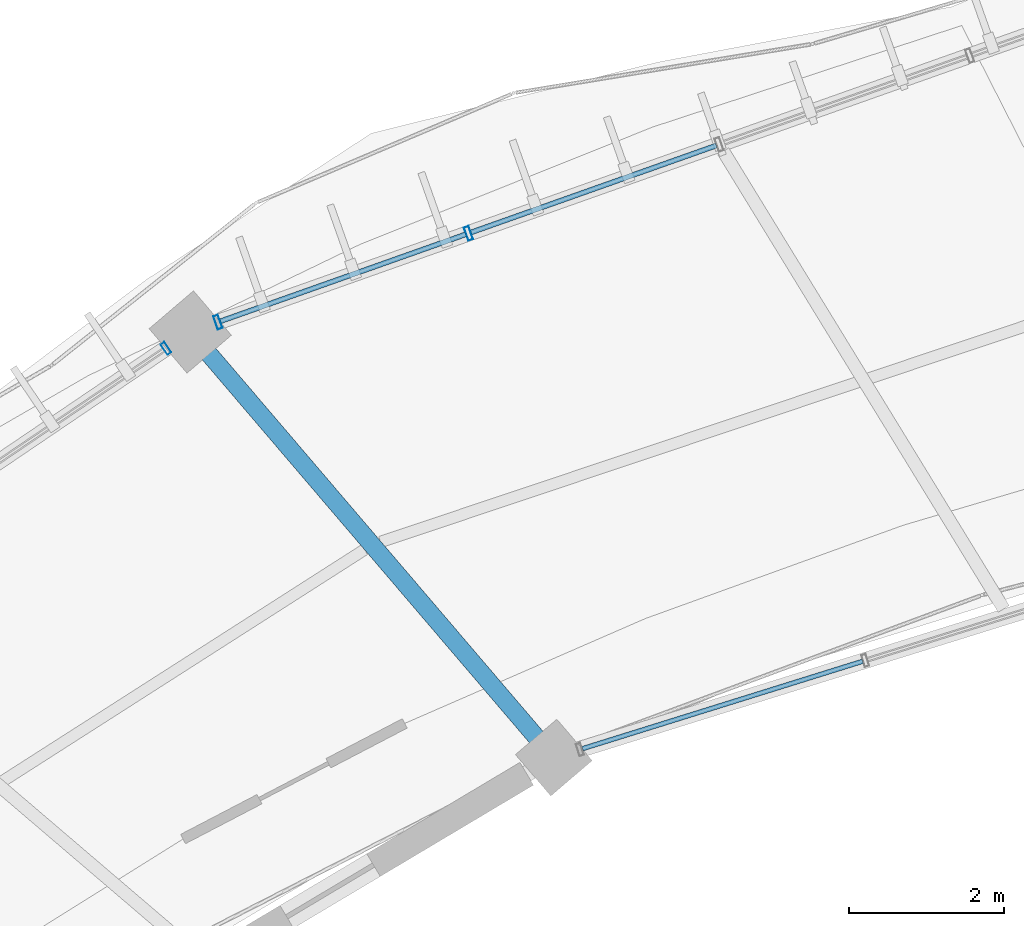
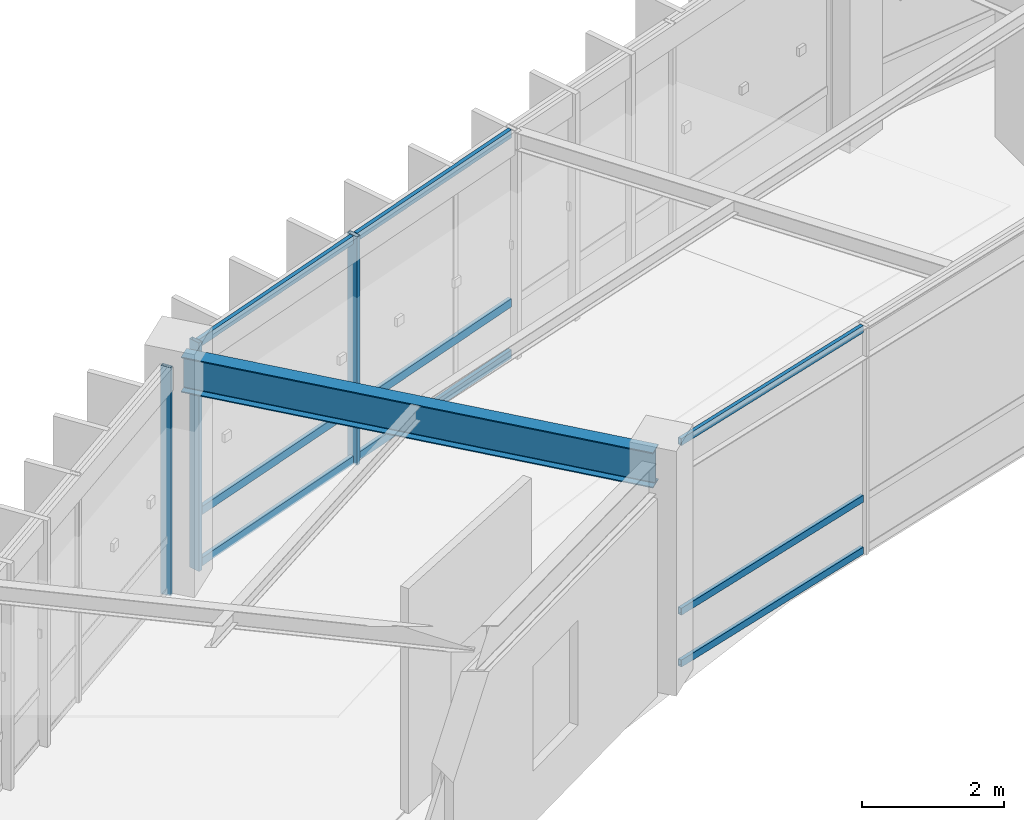
# One storey, part 59 of 152: 12 members, 1 beam, 3 elements without a shape of their own.
"""IFC4 building model written with IfcOpenShell, lengths in metres."""

from ifc_helpers import new_model, si_unit, direction, frame, origin, origin_2d, place, context, subcontext, project, spatial, hollow_rectangle, i_section, extrude, material, material_profile, profile_set, type_object, element, aggregate, save


model = new_model("IFC4")

# Units and contexts
model_context = context("Model", 3, precision=1e-05, world=origin(), true_north=direction((0.0, 1.0)))
body_context = subcontext(model_context, "Body", "Model", "MODEL_VIEW")
ifc_project = project(units=[si_unit("LENGTHUNIT", "METRE"), si_unit("AREAUNIT", "SQUARE_METRE"), si_unit("VOLUMEUNIT", "CUBIC_METRE"), si_unit("PLANEANGLEUNIT", "RADIAN"), si_unit("MASSUNIT", "GRAM", prefix="KILO"), si_unit("THERMODYNAMICTEMPERATUREUNIT", "KELVIN"), si_unit("POWERUNIT", "WATT")], contexts=[model_context])

# Site, building, storey
site_placement = place(None, origin())
site = spatial("IfcSite", under=ifc_project, at=site_placement, CompositionType="ELEMENT")
building_placement = place(site_placement, origin())
building = spatial("IfcBuilding", under=site, at=building_placement, Name="Darbajah Civic Hall", CompositionType="ELEMENT")
storey_placement = place(building_placement, frame((0.0, 0.0, 5.39990234375)))
storey = spatial("IfcBuildingStorey", under=building, at=storey_placement, Name="L01", CompositionType="ELEMENT", Elevation=5.39990234375)

# Curtain wall, member
ifc_material_1 = material(Name="Anodised Bronze Aluminium and Low-E Glazing", Category="aluminium")
curtain_wall_type_1 = type_object("IfcCurtainWallType", Name="Unitised Curtain Wall CW-26 11800x3900", PredefinedType="USERDEFINED", material=ifc_material_1)
curtain_wall_1_placement = place(storey_placement, origin())
curtain_wall_1 = element("IfcCurtainWall", 1, at=curtain_wall_1_placement, inside=storey, type_object=curtain_wall_type_1, Name="L01 unitised curtain wall CW-V1O-L01-07", ObjectType="UNITISED CURTAIN WALL", PredefinedType="USERDEFINED")
ifc_material_2 = material(Name="Anodised Bronze Aluminium", Category="aluminium")
ifc_material_profile_1 = material_profile(ifc_material_2, hollow_rectangle(XDim=0.06005859375, YDim=0.159912109375, WallThickness=0.00341796875, at=origin_2d()), Name="ALU MULLION 60x160")
ifc_profile_set_1 = profile_set([ifc_material_profile_1], Name="Anodised Bronze Aluminium")
member_type_1 = type_object("IfcMemberType", Name="ALU MULLION 60x160", PredefinedType="MULLION", material=ifc_profile_set_1)
member_1_placement = place(storey_placement, frame((55.666015625, 112.0205078125, 0.0), z_axis=(0.0, 0.0, 1.0), x_axis=(-0.827962472047, -0.560783509816, 0.0)))
member_1 = element("IfcMember", 2, at=member_1_placement, type_object=member_type_1, Name="CW-V1O-L01-07 mullion 1", PredefinedType="MULLION", context=body_context, shape_type="SweptSolid", body=[
    extrude(hollow_rectangle(XDim=0.06005859375, YDim=0.159912109375, WallThickness=0.00341796875, at=origin_2d()), origin(), (0.0, 0.0, 1.0), 3.920166015625),
])
aggregate(curtain_wall_1, [member_1])

# Curtain wall, members
curtain_wall_type_2 = type_object("IfcCurtainWallType", Name="Unitised Curtain Wall CW-24 13700x3900", PredefinedType="USERDEFINED", material=ifc_material_1)
curtain_wall_2_placement = place(storey_placement, origin())
curtain_wall_2 = element("IfcCurtainWall", 3, at=curtain_wall_2_placement, inside=storey, type_object=curtain_wall_type_2, Name="L01 unitised curtain wall CW-V1O-L01-06", ObjectType="UNITISED CURTAIN WALL", PredefinedType="USERDEFINED")
ifc_material_profile_2 = material_profile(ifc_material_2, hollow_rectangle(XDim=0.06494140625, YDim=0.179931640625, WallThickness=0.00390625, at=origin_2d()), Name="ALU MULLION 65x180")
ifc_profile_set_2 = profile_set([ifc_material_profile_2], Name="Anodised Bronze Aluminium")
member_type_2 = type_object("IfcMemberType", Name="ALU MULLION 65x180", PredefinedType="MULLION", material=ifc_profile_set_2)
member_2_placement = place(storey_placement, frame((59.556884765625, 113.50048828125, 0.0), z_axis=(0.0, 0.0, 1.0), x_axis=(-0.94252491309, -0.334135882844, 0.0)))
member_2 = element("IfcMember", 4, at=member_2_placement, type_object=member_type_2, Name="CW-V1O-L01-06 mullion 4", PredefinedType="MULLION", context=body_context, shape_type="SweptSolid", body=[
    extrude(hollow_rectangle(XDim=0.06494140625, YDim=0.179931640625, WallThickness=0.00390625, at=origin_2d()), origin(), (0.0, 0.0, 1.0), 3.920166015625),
])
member_3_placement = place(storey_placement, frame((56.33349609375, 112.35791015625, 0.0), z_axis=(0.0, 0.0, 1.0), x_axis=(-0.94252491309, -0.334135882844, 0.0)))
member_3 = element("IfcMember", 5, at=member_3_placement, type_object=member_type_2, Name="CW-V1O-L01-06 mullion 5", PredefinedType="MULLION", context=body_context, shape_type="SweptSolid", body=[
    extrude(hollow_rectangle(XDim=0.06494140625, YDim=0.179931640625, WallThickness=0.00390625, at=origin_2d()), origin(), (0.0, 0.0, 1.0), 3.920166015625),
])

curtain_wall_type_3 = type_object("IfcCurtainWallType", Name="Unitised Curtain Wall CW-25 11500x3900", PredefinedType="USERDEFINED", material=ifc_material_1)
curtain_wall_3_placement = place(storey_placement, origin())
curtain_wall_3 = element("IfcCurtainWall", 6, at=curtain_wall_3_placement, inside=storey, type_object=curtain_wall_type_3, Name="L01 unitised curtain wall CW-V1I-L01-06", ObjectType="UNITISED CURTAIN WALL", PredefinedType="USERDEFINED")
ifc_material_profile_3 = material_profile(ifc_material_2, hollow_rectangle(XDim=0.06005859375, YDim=0.1201171875, WallThickness=0.003173828125, at=origin_2d()), Name="ALU TRANSOM 60x120")
ifc_profile_set_3 = profile_set([ifc_material_profile_3], Name="Anodised Bronze Aluminium")
member_type_3 = type_object("IfcMemberType", Name="ALU TRANSOM 60x120", PredefinedType="USERDEFINED", material=ifc_profile_set_3)
member_4_placement = place(storey_placement, frame((64.627685546875, 107.99658203125, 0.06005859375), z_axis=(-0.954629445971, -0.297796274129, 0.0), x_axis=(0.297796274129, -0.954629445971, 0.0)))
member_4 = element("IfcMember", 7, at=member_4_placement, type_object=member_type_3, Name="CW-V1I-L01-06 transom 3.1", ObjectType="TRANSOM", PredefinedType="USERDEFINED", context=body_context, shape_type="SweptSolid", body=[
    extrude(hollow_rectangle(XDim=0.06005859375, YDim=0.1201171875, WallThickness=0.003173828125, at=origin_2d()), origin(), (0.0, 0.0, 1.0), 3.775390625),
])
member_5_placement = place(storey_placement, frame((64.627685546875, 107.99658203125, 0.9501953125), z_axis=(-0.954629445971, -0.297796274129, 0.0), x_axis=(0.297796274129, -0.954629445971, 0.0)))
member_5 = element("IfcMember", 8, at=member_5_placement, type_object=member_type_3, Name="CW-V1I-L01-06 transom 3.2", ObjectType="TRANSOM", PredefinedType="USERDEFINED", context=body_context, shape_type="SweptSolid", body=[
    extrude(hollow_rectangle(XDim=0.06005859375, YDim=0.1201171875, WallThickness=0.003173828125, at=origin_2d()), origin(), (0.0, 0.0, 1.0), 3.775390625),
])
member_6_placement = place(storey_placement, frame((64.627685546875, 107.99658203125, 3.860107421875), z_axis=(-0.954629445971, -0.297796274129, 0.0), x_axis=(0.297796274129, -0.954629445971, 0.0)))
member_6 = element("IfcMember", 9, at=member_6_placement, type_object=member_type_3, Name="CW-V1I-L01-06 transom 3.3", ObjectType="TRANSOM", PredefinedType="USERDEFINED", context=body_context, shape_type="SweptSolid", body=[
    extrude(hollow_rectangle(XDim=0.06005859375, YDim=0.1201171875, WallThickness=0.003173828125, at=origin_2d()), origin(), (0.0, 0.0, 1.0), 3.775390625),
])
aggregate(curtain_wall_3, [member_4, member_5, member_6])

# Member
ifc_material_profile_4 = material_profile(ifc_material_2, hollow_rectangle(XDim=0.06494140625, YDim=0.139892578125, WallThickness=0.00341796875, at=origin_2d()), Name="ALU TRANSOM 65x140")
ifc_profile_set_4 = profile_set([ifc_material_profile_4], Name="Anodised Bronze Aluminium")
member_type_4 = type_object("IfcMemberType", Name="ALU TRANSOM 65x140", PredefinedType="USERDEFINED", material=ifc_profile_set_4)
member_7_placement = place(storey_placement, frame((62.745361328125, 114.630615234375, 0.070068359375), z_axis=(-0.942559740686, -0.334037625483, 0.0), x_axis=(0.334037625483, -0.942559740686, 0.0)))
member_7 = element("IfcMember", 10, at=member_7_placement, type_object=member_type_4, Name="CW-V1O-L01-06 transom 3.1", ObjectType="TRANSOM", PredefinedType="USERDEFINED", context=body_context, shape_type="SweptSolid", body=[
    extrude(hollow_rectangle(XDim=0.06494140625, YDim=0.139892578125, WallThickness=0.00341796875, at=origin_2d()), origin(), (0.0, 0.0, 1.0), 3.34521484375),
])

member_8_placement = place(storey_placement, frame((62.745361328125, 114.630615234375, 0.9501953125), z_axis=(-0.942559740686, -0.334037625483, 0.0), x_axis=(0.334037625483, -0.942559740686, 0.0)))
member_8 = element("IfcMember", 11, at=member_8_placement, type_object=member_type_4, Name="CW-V1O-L01-06 transom 3.2", ObjectType="TRANSOM", PredefinedType="USERDEFINED", context=body_context, shape_type="SweptSolid", body=[
    extrude(hollow_rectangle(XDim=0.06494140625, YDim=0.139892578125, WallThickness=0.00341796875, at=origin_2d()), origin(), (0.0, 0.0, 1.0), 3.34521484375),
])

member_9_placement = place(storey_placement, frame((62.745361328125, 114.630615234375, 3.85009765625), z_axis=(-0.942559740686, -0.334037625483, 0.0), x_axis=(0.334037625483, -0.942559740686, 0.0)))
member_9 = element("IfcMember", 12, at=member_9_placement, type_object=member_type_4, Name="CW-V1O-L01-06 transom 3.3", ObjectType="TRANSOM", PredefinedType="USERDEFINED", context=body_context, shape_type="SweptSolid", body=[
    extrude(hollow_rectangle(XDim=0.06494140625, YDim=0.139892578125, WallThickness=0.00341796875, at=origin_2d()), origin(), (0.0, 0.0, 1.0), 3.34521484375),
])

member_10_placement = place(storey_placement, frame((59.521728515625, 113.488037109375, 0.070068359375), z_axis=(-0.942559740686, -0.334037625483, 0.0), x_axis=(0.334037625483, -0.942559740686, 0.0)))
member_10 = element("IfcMember", 13, at=member_10_placement, type_object=member_type_4, Name="CW-V1O-L01-06 transom 4.1", ObjectType="TRANSOM", PredefinedType="USERDEFINED", context=body_context, shape_type="SweptSolid", body=[
    extrude(hollow_rectangle(XDim=0.06494140625, YDim=0.139892578125, WallThickness=0.00341796875, at=origin_2d()), origin(), (0.0, 0.0, 1.0), 3.34521484375),
])

member_11_placement = place(storey_placement, frame((59.521728515625, 113.488037109375, 0.9501953125), z_axis=(-0.942559740686, -0.334037625483, 0.0), x_axis=(0.334037625483, -0.942559740686, 0.0)))
member_11 = element("IfcMember", 14, at=member_11_placement, type_object=member_type_4, Name="CW-V1O-L01-06 transom 4.2", ObjectType="TRANSOM", PredefinedType="USERDEFINED", context=body_context, shape_type="SweptSolid", body=[
    extrude(hollow_rectangle(XDim=0.06494140625, YDim=0.139892578125, WallThickness=0.00341796875, at=origin_2d()), origin(), (0.0, 0.0, 1.0), 3.34521484375),
])

member_12_placement = place(storey_placement, frame((59.521728515625, 113.488037109375, 3.85009765625), z_axis=(-0.942559740686, -0.334037625483, 0.0), x_axis=(0.334037625483, -0.942559740686, 0.0)))
member_12 = element("IfcMember", 15, at=member_12_placement, type_object=member_type_4, Name="CW-V1O-L01-06 transom 4.3", ObjectType="TRANSOM", PredefinedType="USERDEFINED", context=body_context, shape_type="SweptSolid", body=[
    extrude(hollow_rectangle(XDim=0.06494140625, YDim=0.139892578125, WallThickness=0.00341796875, at=origin_2d()), origin(), (0.0, 0.0, 1.0), 3.34521484375),
])

aggregate(curtain_wall_2, [member_2, member_3, member_7, member_8, member_9, member_10, member_11, member_12])

# Beam
ifc_material_3 = material(Name="Steel S355JR", Category="steel")
ifc_material_profile_5 = material_profile(ifc_material_3, i_section(OverallWidth=0.228271484375, OverallDepth=0.607666015625, WebThickness=0.010986328125, FlangeThickness=0.017333984375, FilletRadius=0.0126953125, at=origin_2d()), Name="UB 610x229x113")
ifc_profile_set_5 = profile_set([ifc_material_profile_5], Name="Steel S355JR")
beam_type = type_object("IfcBeamType", Name="UB 610x229x113", PredefinedType="BEAM", material=ifc_profile_set_5)
beam_placement = place(storey_placement, frame((60.602294921875, 106.81787109375, 3.6162109375), z_axis=(-0.649459534081, 0.760396155692, 0.0), x_axis=(-0.760396155692, -0.649459534081, 0.0)))
element("IfcBeam", 16, at=beam_placement, inside=storey, type_object=beam_type, Name="L01 beam SB-610", PredefinedType="BEAM", context=body_context, shape_type="SweptSolid", body=[
    extrude(i_section(OverallWidth=0.228271484375, OverallDepth=0.607666015625, WebThickness=0.010986328125, FlangeThickness=0.017333984375, FilletRadius=0.0126953125, at=origin_2d()), origin(), (0.0, 0.0, 1.0), 7.0400390625),
])

save(model, "model.ifc")
